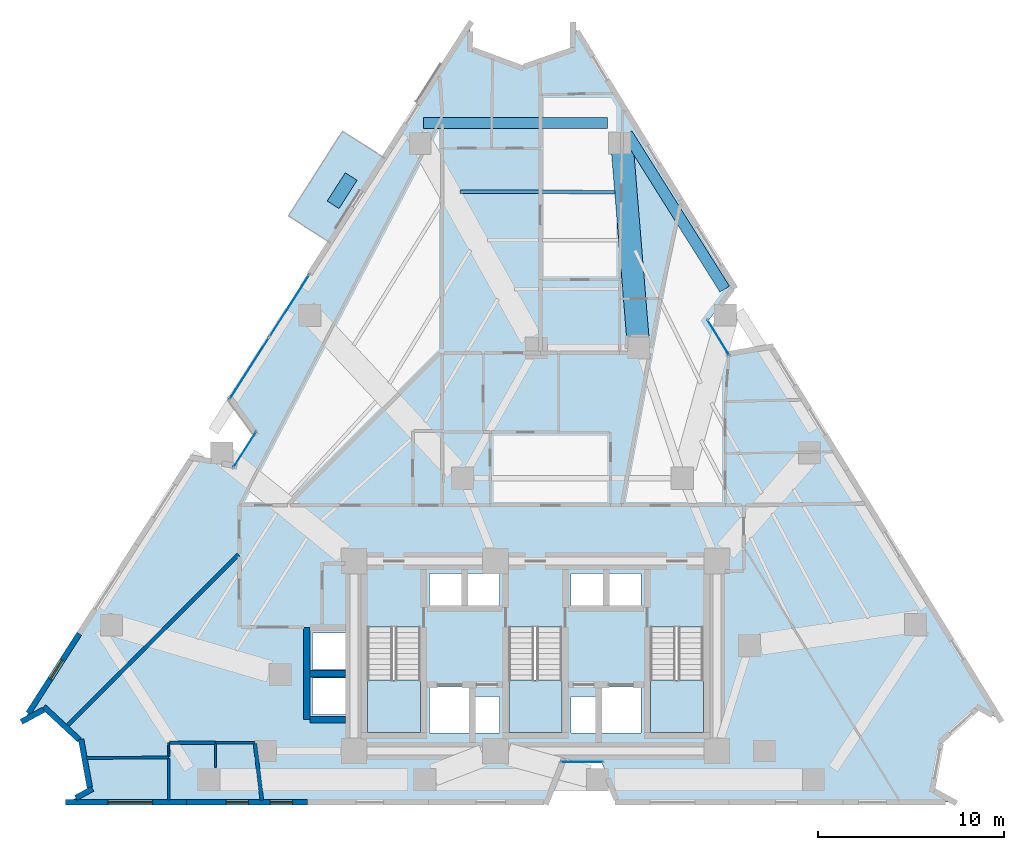
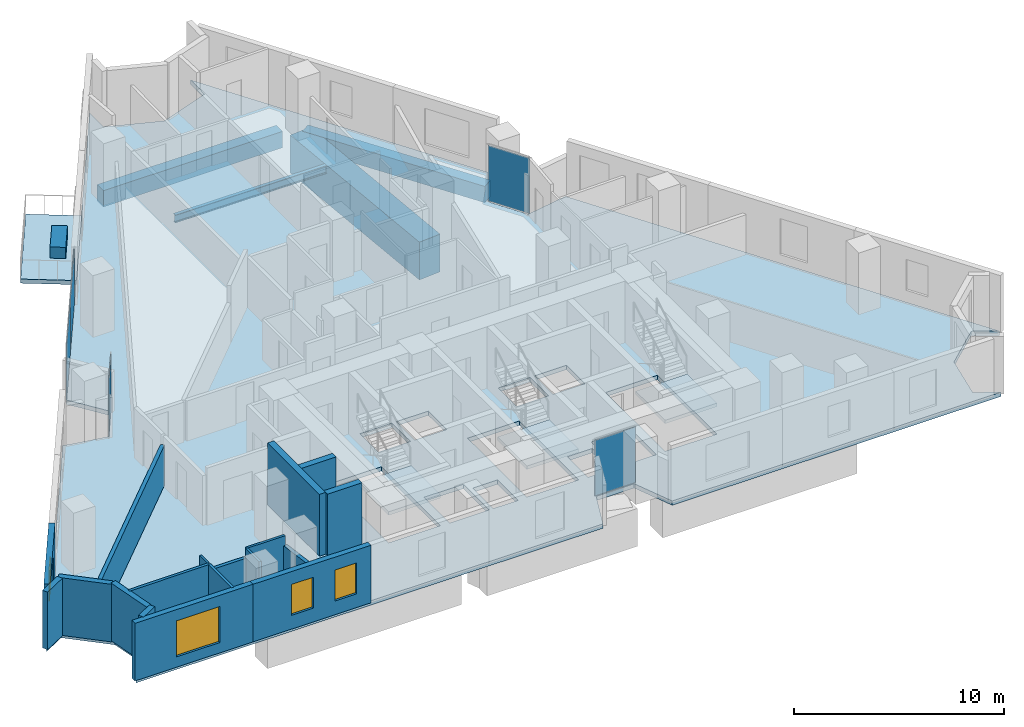
# One storey, part 5 of 13: 18 walls, 6 plates, 5 slabs, 4 beams, 4 windows, 4 openings, 7 elements without a shape of their own.
"""IFC4 building model written with IfcOpenShell, lengths in metres."""

from ifc_helpers import new_model, si_unit, direction, frame, frame_2d, origin, origin_2d, place, context, subcontext, project, spatial, polyline, rectangle, i_section, outline, extrude, material, layer, layer_set, material_profile, profile_set, type_object, element, fill, aggregate, save


model = new_model("IFC4")

# Units and contexts
model_context = context("Model", 3, precision=1e-05, world=origin(), true_north=direction((0.0, 1.0)))
body_context = subcontext(model_context, "Body", "Model", "MODEL_VIEW")
ifc_project = project(units=[si_unit("LENGTHUNIT", "METRE"), si_unit("AREAUNIT", "SQUARE_METRE"), si_unit("VOLUMEUNIT", "CUBIC_METRE"), si_unit("PLANEANGLEUNIT", "RADIAN"), si_unit("MASSUNIT", "GRAM", prefix="KILO")], contexts=[model_context])

# Site, building, storey
site_placement = place(None, origin())
site = spatial("IfcSite", under=ifc_project, at=site_placement, CompositionType="ELEMENT")
building_placement = place(site_placement, origin())
building = spatial("IfcBuilding", under=site, at=building_placement, Name="Almagre Mirador Tower", CompositionType="ELEMENT")
storey_placement = place(building_placement, frame((0.0, 0.0, 75.0)))
storey = spatial("IfcBuildingStorey", under=building, at=storey_placement, Name="L18", CompositionType="ELEMENT", Elevation=75.0)

# Beams
ifc_material_1 = material(Name="Steel ASTM A992 Grade 50", Category="steel")
ifc_material_profile_1 = material_profile(ifc_material_1, i_section(OverallWidth=0.19091796875, OverallDepth=0.4599609375, WebThickness=0.010009765625, FlangeThickness=0.01611328125, FilletRadius=0.01611328125, at=origin_2d()), Name="W18X55")
ifc_profile_set_1 = profile_set([ifc_material_profile_1], Name="Steel ASTM A992 Grade 50")
beam_type_1 = type_object("IfcBeamType", Name="BM-JST-W18X55", PredefinedType="JOIST", material=ifc_profile_set_1)
beam_1_placement = place(storey_placement, frame((41.56591796875, 34.572021484375, -0.47998046875), z_axis=(-0.999993151831, 0.003700849942, 0.0), x_axis=(-0.003700849942, -0.999993151831, 0.0)))
element("IfcBeam", 1, at=beam_1_placement, inside=storey, type_object=beam_type_1, Name="L18 secondary floor joist PC08-PC09.1", PredefinedType="JOIST", context=body_context, shape_type="SweptSolid", body=[
    extrude(i_section(OverallWidth=0.19091796875, OverallDepth=0.4599609375, WebThickness=0.010009765625, FlangeThickness=0.01611328125, FilletRadius=0.01611328125, at=origin_2d()), origin(), (0.0, 0.0, 1.0), 8.31201171875),
])
ifc_material_2 = material(Name="Precast concrete C50/60", Category="concrete")
ifc_material_profile_2 = material_profile(ifc_material_2, rectangle(XDim=0.60009765625, YDim=0.949951171875, at=origin_2d()), Name="RC600X950")
ifc_profile_set_2 = profile_set([ifc_material_profile_2], Name="Precast concrete C50/60")
beam_type_2 = type_object("IfcBeamType", Name="BM-SPN-RC600X950", PredefinedType="SPANDREL", material=ifc_profile_set_2)
beam_2_placement = place(storey_placement, frame((47.4697265625, 29.36279296875, -0.72509765625), z_axis=(-0.531919552243, 0.846794892487, 0.0), x_axis=(-0.846794892487, -0.531919552243, 0.0)))
element("IfcBeam", 2, at=beam_2_placement, inside=storey, type_object=beam_type_2, Name="L18 perimeter spandrel beam PC07-PC08", PredefinedType="SPANDREL", context=body_context, shape_type="SweptSolid", body=[
    extrude(rectangle(XDim=0.60009765625, YDim=0.949951171875, at=origin_2d()), origin(), (0.0, 0.0, 1.0), 9.84228515625),
])
beam_3_placement = place(storey_placement, frame((41.162109375, 38.289306640625, -0.72509765625), z_axis=(-0.999999686228, -0.000792177001, 0.0), x_axis=(0.000792177001, -0.999999686228, 0.0)))
element("IfcBeam", 3, at=beam_3_placement, inside=storey, type_object=beam_type_2, Name="L18 perimeter spandrel beam PC08-PC09", PredefinedType="SPANDREL", context=body_context, shape_type="SweptSolid", body=[
    extrude(rectangle(XDim=0.60009765625, YDim=0.949951171875, at=origin_2d()), origin(), (0.0, 0.0, 1.0), 9.862060546875),
])
ifc_material_3 = material(Name="Concrete C60/75", Category="concrete")
ifc_material_profile_3 = material_profile(ifc_material_3, rectangle(XDim=1.199951171875, YDim=2.199951171875, at=origin_2d()), Name="RC1200X2200")
ifc_profile_set_3 = profile_set([ifc_material_profile_3], Name="Concrete C60/75")
beam_type_3 = type_object("IfcBeamType", Name="BM-XFER-RC1200X2200", PredefinedType="BEAM", material=ifc_profile_set_3)
beam_4_placement = place(storey_placement, frame((41.9189453125, 37.59228515625, -1.35009765625), z_axis=(0.081446555718, -0.996677710477, 0.0), x_axis=(0.996677710477, 0.081446555718, 0.0)))
element("IfcBeam", 4, at=beam_4_placement, inside=storey, type_object=beam_type_3, Name="L18 radial transfer girder PC08-MC6", PredefinedType="BEAM", context=body_context, shape_type="SweptSolid", body=[
    extrude(rectangle(XDim=1.199951171875, YDim=2.199951171875, at=origin_2d()), origin(), (0.0, 0.0, 1.0), 10.830078125),
])

# Curtain wall, plate
ifc_material_4 = material(Name="Black anodized aluminium", Category="aluminium")
ifc_layer_1 = layer(ifc_material_4, 0.169921875)
ifc_layer_set_1 = layer_set([ifc_layer_1], Name="Black anodized aluminium")
curtain_wall_type_1 = type_object("IfcCurtainWallType", Name="CW-CRS-SYS", PredefinedType="NOTDEFINED", material=ifc_layer_set_1)
curtain_wall_1_placement = place(storey_placement, origin())
curtain_wall_1 = element("IfcCurtainWall", 5, at=curtain_wall_1_placement, inside=storey, type_object=curtain_wall_type_1, Name="L18 vertical crease curtain wall 01", PredefinedType="NOTDEFINED")
ifc_material_5 = material(Name="Dark solar-control laminated hurricane glass", Category="glass")
ifc_layer_2 = layer(ifc_material_5, 0.028076171875)
ifc_layer_set_2 = layer_set([ifc_layer_2], Name="Dark solar-control laminated hurricane glass")
plate_type_1 = type_object("IfcPlateType", Name="PLT-GLZ-28", PredefinedType="CURTAIN_PANEL", material=ifc_layer_set_2)
plate_1_placement = place(storey_placement, frame((21.69091796875, 20.7451171875, 0.06005859375), z_axis=(0.0, 0.0, 1.0), x_axis=(0.539558777859, 0.841947934991, 0.0)))
plate_1 = element("IfcPlate", 6, at=plate_1_placement, type_object=plate_type_1, Name="CW-4 panel 1.1", PredefinedType="CURTAIN_PANEL", context=body_context, shape_type="SweptSolid", body=[
    extrude(rectangle(XDim=2.25048828125, YDim=0.028076171875, at=origin_2d()), origin(), (0.0, 0.0, 1.0), 3.22998046875),
])
aggregate(curtain_wall_1, [plate_1])

curtain_wall_2_placement = place(storey_placement, origin())
curtain_wall_2 = element("IfcCurtainWall", 7, at=curtain_wall_2_placement, inside=storey, type_object=curtain_wall_type_1, Name="L18 vertical crease curtain wall 03", PredefinedType="NOTDEFINED")
plate_2_placement = place(storey_placement, frame((47.132080078125, 26.761474609375, 0.06005859375), z_axis=(0.0, 0.0, 1.0), x_axis=(0.523414605102, -0.852078136772, 0.0)))
plate_2 = element("IfcPlate", 8, at=plate_2_placement, type_object=plate_type_1, Name="CW-4 panel 1.1", PredefinedType="CURTAIN_PANEL", context=body_context, shape_type="SweptSolid", body=[
    extrude(rectangle(XDim=2.250244140625, YDim=0.028076171875, at=origin_2d()), origin(), (0.0, 0.0, 1.0), 3.22998046875),
])
aggregate(curtain_wall_2, [plate_2])

curtain_wall_3_placement = place(storey_placement, origin())
curtain_wall_3 = element("IfcCurtainWall", 9, at=curtain_wall_3_placement, inside=storey, type_object=curtain_wall_type_1, Name="L18 vertical crease curtain wall 04", PredefinedType="NOTDEFINED")
plate_3_placement = place(storey_placement, frame((39.80810546875, 3.949951171875, 0.06005859375), z_axis=(0.0, 0.0, 1.0), x_axis=(-1.0, 0.0, 0.0)))
plate_3 = element("IfcPlate", 10, at=plate_3_placement, type_object=plate_type_1, Name="CW-4 panel 1.1", PredefinedType="CURTAIN_PANEL", context=body_context, shape_type="SweptSolid", body=[
    extrude(rectangle(XDim=2.25, YDim=0.028076171875, at=origin_2d()), origin(), (0.0, 0.0, 1.0), 3.22998046875),
])
aggregate(curtain_wall_3, [plate_3])

# Curtain wall, plates
ifc_material_6 = material(Name="Black anodized aluminium", Category="aluminium")
ifc_layer_3 = layer(ifc_material_6, 0.18994140625)
ifc_layer_set_3 = layer_set([ifc_layer_3], Name="Black anodized aluminium")
curtain_wall_type_2 = type_object("IfcCurtainWallType", Name="CW-RES-L-SYS", PredefinedType="NOTDEFINED", material=ifc_layer_set_3)
curtain_wall_4_placement = place(storey_placement, origin())
curtain_wall_4 = element("IfcCurtainWall", 11, at=curtain_wall_4_placement, inside=storey, type_object=curtain_wall_type_2, Name="L18 curtain wall run 02", PredefinedType="NOTDEFINED")
ifc_material_7 = material(Name="Dark solar-control laminated hurricane glass", Category="glass")
ifc_layer_4 = layer(ifc_material_7, 0.031982421875)
ifc_layer_set_4 = layer_set([ifc_layer_4], Name="Dark solar-control laminated hurricane glass")
plate_type_2 = type_object("IfcPlateType", Name="PLT-GLZ-32", PredefinedType="CURTAIN_PANEL", material=ifc_layer_set_4)
plate_4_placement = place(storey_placement, frame((21.926025390625, 25.095947265625, 0.06005859375), z_axis=(0.0, 0.0, 1.0), x_axis=(0.539454763486, 0.8420145831, 0.0)))
plate_4 = element("IfcPlate", 12, at=plate_4_placement, type_object=plate_type_2, Name="CW-2 panel 1.1", PredefinedType="CURTAIN_PANEL", context=body_context, shape_type="SweptSolid", body=[
    extrude(rectangle(XDim=3.931396484375, YDim=0.031982421875, at=origin_2d()), origin(), (0.0, 0.0, 1.0), 3.22998046875),
])
plate_5_placement = place(storey_placement, frame((24.081787109375, 28.4609375, 0.06005859375), z_axis=(0.0, 0.0, 1.0), x_axis=(0.539454763486, 0.8420145831, 0.0)))
plate_5 = element("IfcPlate", 13, at=plate_5_placement, type_object=plate_type_2, Name="CW-2 panel 2.1", PredefinedType="CURTAIN_PANEL", context=body_context, shape_type="SweptSolid", body=[
    extrude(rectangle(XDim=3.931396484375, YDim=0.031982421875, at=origin_2d()), origin(), (0.0, 0.0, 1.0), 3.22998046875),
])
aggregate(curtain_wall_4, [plate_4, plate_5])

# Plate
ifc_material_8 = material(Name="Precast concrete C50/60", Category="concrete")
ifc_layer_5 = layer(ifc_material_8, 0.64990234375)
ifc_layer_set_5 = layer_set([ifc_layer_5], Name="Precast concrete C50/60")
plate_type_3 = type_object("IfcPlateType", Name="PLT-PLANTER-1800", PredefinedType="USERDEFINED", material=ifc_layer_set_5)
plate_6_placement = place(storey_placement, frame((26.919921875, 34.652099609375, 0.0), z_axis=(0.0, 0.0, 1.0), x_axis=(-0.539461671362, -0.84201015738, 0.0)))
element("IfcPlate", 14, at=plate_6_placement, inside=storey, type_object=plate_type_3, Name="L18 west balcony structural tree planter 2", ObjectType="PLANTER", PredefinedType="USERDEFINED", context=body_context, shape_type="SweptSolid", body=[
    extrude(rectangle(XDim=1.800048828125, YDim=0.75, at=origin_2d()), origin(), (0.0, 0.0, 1.0), 0.64990234375),
])

# Slabs
ifc_material_9 = material(Name="Concrete C45/55", Category="concrete")
ifc_layer_6 = layer(ifc_material_9, 0.239990234375)
ifc_layer_set_6 = layer_set([ifc_layer_6], Name="Concrete C45/55")
slab_type_1 = type_object("IfcSlabType", Name="SLB-BAL-240", PredefinedType="USERDEFINED", material=ifc_layer_set_6)
slab_1_placement = place(storey_placement, frame((0.0, 0.0, -0.239990234375)))
element("IfcSlab", 15, at=slab_1_placement, inside=storey, type_object=slab_type_1, Name="L18 west planted tree balcony 2", ObjectType="BALCONY", PredefinedType="USERDEFINED", context=body_context, shape_type="SweptSolid", body=[
    extrude(outline(polyline([(29.194091796875, 36.402099609375), (26.280029296875, 31.85595703125), (24.031982421875, 33.2958984375), (26.945068359375, 37.843017578125), (29.194091796875, 36.402099609375)])), origin(), (0.0, 0.0, 1.0), 0.239990234375),
])
ifc_material_10 = material(Name="Concrete C45/55", Category="concrete")
ifc_layer_7 = layer(ifc_material_10, 0.25)
ifc_layer_set_7 = layer_set([ifc_layer_7], Name="Concrete C45/55")
slab_type_2 = type_object("IfcSlabType", Name="SLB-FLR-250", PredefinedType="FLOOR", material=ifc_layer_set_7)
slab_2_placement = place(storey_placement, frame((0.0, 0.0, -0.25)))
element("IfcSlab", 16, at=slab_2_placement, inside=storey, type_object=slab_type_2, Name="L18 structural floor slab", PredefinedType="FLOOR", context=body_context, shape_type="SweptSolid", body=[
    extrude(outline(polyline([(9.804931640625, 6.177978515625), (10.989990234375, 6.825927734375), (12.9169921875, 5.035888671875), (13.384033203125, 2.447998046875), (12.199951171875, 1.800048828125), (37.907958984375, 1.800048828125), (38.762939453125, 3.949951171875), (40.85302734375, 3.949951171875), (41.7080078125, 1.800048828125), (59.800048828125, 1.800048828125), (58.6220703125, 2.458984375), (59.114013671875, 5.091064453125), (61.09912109375, 6.888916015625), (62.277099609375, 6.22998046875), (49.958984375, 26.26904296875), (47.678955078125, 25.87109375), (46.5849609375, 27.652099609375), (47.968994140625, 29.506103515625), (39.322998046875, 43.570068359375), (39.31103515625, 42.219970703125), (36.537109375, 41.256103515625), (33.781982421875, 42.27197265625), (33.794921875, 43.6220703125), (20.906005859375, 23.50390625), (22.2548828125, 21.625), (21.126953125, 19.864990234375), (18.85595703125, 20.304931640625), (9.804931640625, 6.177978515625)]), holes=[polyline([(43.47509765625, 11.196044921875), (46.324951171875, 11.196044921875), (46.324951171875, 5.550048828125), (43.47509765625, 5.550048828125), (43.47509765625, 11.196044921875)]), polyline([(40.820068359375, 5.52001953125), (40.820068359375, 7.97998046875), (42.97998046875, 7.97998046875), (42.97998046875, 5.52001953125), (40.820068359375, 5.52001953125)]), polyline([(41.219970703125, 12.320068359375), (41.219970703125, 14.080078125), (42.97998046875, 14.080078125), (42.97998046875, 12.320068359375), (41.219970703125, 12.320068359375)]), polyline([(39.219970703125, 12.320068359375), (39.219970703125, 14.080078125), (40.97998046875, 14.080078125), (40.97998046875, 12.320068359375), (39.219970703125, 12.320068359375)]), polyline([(39.219970703125, 5.52001953125), (39.219970703125, 7.47998046875), (40.580078125, 7.47998046875), (40.580078125, 5.52001953125), (39.219970703125, 5.52001953125)]), polyline([(35.875, 11.196044921875), (38.72509765625, 11.196044921875), (38.72509765625, 5.550048828125), (35.875, 5.550048828125), (35.875, 11.196044921875)]), polyline([(35.3798828125, 5.52001953125), (34.02001953125, 5.52001953125), (34.02001953125, 7.47998046875), (35.3798828125, 7.47998046875), (35.3798828125, 5.52001953125)]), polyline([(35.3798828125, 12.320068359375), (33.6201171875, 12.320068359375), (33.6201171875, 14.080078125), (35.3798828125, 14.080078125), (35.3798828125, 12.320068359375)]), polyline([(31.6201171875, 5.52001953125), (31.6201171875, 7.97998046875), (33.780029296875, 7.97998046875), (33.780029296875, 5.52001953125), (31.6201171875, 5.52001953125)]), polyline([(31.6201171875, 12.320068359375), (31.6201171875, 14.080078125), (33.3798828125, 14.080078125), (33.3798828125, 12.320068359375), (31.6201171875, 12.320068359375)]), polyline([(28.27490234375, 5.550048828125), (28.27490234375, 11.196044921875), (31.125, 11.196044921875), (31.125, 5.550048828125), (28.27490234375, 5.550048828125)]), polyline([(25.320068359375, 6.52001953125), (25.320068359375, 8.47998046875), (27.3798828125, 8.47998046875), (27.3798828125, 6.52001953125), (25.320068359375, 6.52001953125)]), polyline([(25.320068359375, 8.919921875), (25.320068359375, 10.8798828125), (27.3798828125, 10.8798828125), (27.3798828125, 8.919921875), (25.320068359375, 8.919921875)])]), origin(), (0.0, 0.0, 1.0), 0.25),
])

# Stair, slab
ifc_material_11 = material(Name="Concrete C45/55", Category="concrete")
stair_type = type_object("IfcStairType", Name="STR-DL-3600", PredefinedType="HALF_TURN_STAIR", material=ifc_material_11)
stair_1_placement = place(storey_placement, origin())
stair_1 = element("IfcStair", 17, at=stair_1_placement, inside=storey, type_object=stair_type, Name="L18 Protected exit stair ST-1", PredefinedType="HALF_TURN_STAIR")
ifc_material_12 = material(Name="Concrete C45/55", Category="concrete")
ifc_layer_8 = layer(ifc_material_12, 0.199951171875)
ifc_layer_set_8 = layer_set([ifc_layer_8], Name="Concrete C45/55")
slab_type_3 = type_object("IfcSlabType", Name="SLB-LND-200", PredefinedType="LANDING", material=ifc_layer_set_8)
slab_3_placement = place(storey_placement, frame((0.0, 0.0, 1.60009765625)))
slab_3 = element("IfcSlab", 18, at=slab_3_placement, type_object=slab_type_3, Name="ST-1 landing 1", PredefinedType="LANDING", context=body_context, shape_type="SweptSolid", body=[
    extrude(outline(polyline([(28.27490234375, 8.35009765625), (28.27490234375, 5.550048828125), (31.125, 5.550048828125), (31.125, 8.35009765625), (28.27490234375, 8.35009765625)])), origin(), (0.0, 0.0, 1.0), 0.199951171875),
])
aggregate(stair_1, [slab_3])

stair_2_placement = place(storey_placement, origin())
stair_2 = element("IfcStair", 19, at=stair_2_placement, inside=storey, type_object=stair_type, Name="L18 Protected exit stair ST-2", PredefinedType="HALF_TURN_STAIR")
slab_4_placement = place(storey_placement, frame((0.0, 0.0, 1.60009765625)))
slab_4 = element("IfcSlab", 20, at=slab_4_placement, type_object=slab_type_3, Name="ST-2 landing 1", PredefinedType="LANDING", context=body_context, shape_type="SweptSolid", body=[
    extrude(outline(polyline([(35.875, 8.35009765625), (35.875, 5.550048828125), (38.72509765625, 5.550048828125), (38.72509765625, 8.35009765625), (35.875, 8.35009765625)])), origin(), (0.0, 0.0, 1.0), 0.199951171875),
])
aggregate(stair_2, [slab_4])

stair_3_placement = place(storey_placement, origin())
stair_3 = element("IfcStair", 21, at=stair_3_placement, inside=storey, type_object=stair_type, Name="L18 Protected exit stair ST-3", PredefinedType="HALF_TURN_STAIR")
slab_5_placement = place(storey_placement, frame((0.0, 0.0, 1.60009765625)))
slab_5 = element("IfcSlab", 22, at=slab_5_placement, type_object=slab_type_3, Name="ST-3 landing 1", PredefinedType="LANDING", context=body_context, shape_type="SweptSolid", body=[
    extrude(outline(polyline([(43.47509765625, 8.35009765625), (43.47509765625, 5.550048828125), (46.324951171875, 5.550048828125), (46.324951171875, 8.35009765625), (43.47509765625, 8.35009765625)])), origin(), (0.0, 0.0, 1.0), 0.199951171875),
])
aggregate(stair_3, [slab_5])

# Wall, openings, windows
ifc_material_13 = material(Name="Precast concrete C50/60", Category="concrete")
ifc_layer_9 = layer(ifc_material_13, 0.300048828125)
ifc_layer_set_9 = layer_set([ifc_layer_9], Name="Precast concrete C50/60")
wall_type_1 = type_object("IfcWallType", Name="WAL-EXT-300", PredefinedType="SOLIDWALL", material=ifc_layer_set_9)
wall_1_placement = place(storey_placement, frame((25.053955078125, 1.800048828125, 0.0), z_axis=(0.0, 0.0, 1.0), x_axis=(-1.0, 0.0, 0.0)))
wall_1 = element("IfcWall", 23, at=wall_1_placement, inside=storey, type_object=wall_type_1, Name="L18 expressed almagre precast frame wall 29", PredefinedType="SOLIDWALL", context=body_context, shape_type="SweptSolid", body=[
    extrude(rectangle(XDim=6.4970703125, YDim=0.300048828125, at=frame_2d((3.24853515625, 0.0))), origin(), (0.0, 0.0, 1.0), 3.35009765625),
])
opening_1_placement = place(wall_1_placement, frame((3.175048828125, 0.0, 0.800048828125)))
opening_1 = element("IfcOpeningElement", 24, at=opening_1_placement, cuts=wall_1, Name="Opening WN-04", PredefinedType="OPENING", context=body_context, shape_type="SweptSolid", body=[
    extrude(rectangle(XDim=1.199951171875, YDim=1.800048828125, at=frame_2d((0.60009765625, 0.89990234375))), frame((0.0, 0.159902, 0.0), z_axis=(0.0, -1.0, 0.0), x_axis=(1.0, 0.0, 0.0)), (0.0, 0.0, 1.0), 0.320049),
])
opening_2_placement = place(wall_1_placement, frame((0.800048828125, 0.0, 0.800048828125)))
opening_2 = element("IfcOpeningElement", 25, at=opening_2_placement, cuts=wall_1, Name="Opening WN-04", PredefinedType="OPENING", context=body_context, shape_type="SweptSolid", body=[
    extrude(rectangle(XDim=1.199951171875, YDim=1.800048828125, at=frame_2d((0.60009765625, 0.89990234375))), frame((0.0, 0.159902, 0.0), z_axis=(0.0, -1.0, 0.0), x_axis=(1.0, 0.0, 0.0)), (0.0, 0.0, 1.0), 0.320049),
])
ifc_material_14 = material(Name="Dark solar-control laminated hurricane glass", Category="glass")
window_type_1 = type_object("IfcWindowType", Name="WIN-1200X1800", PartitioningType="SINGLE_PANEL", PredefinedType="WINDOW", material=ifc_material_14)
window_1_placement = place(opening_1_placement, origin())
window_1 = element("IfcWindow", 26, at=window_1_placement, inside=storey, type_object=window_type_1, Name="L18 recessed hurricane window L18-UA-KT", OverallHeight=1.800048828125, OverallWidth=1.199951171875, PartitioningType="SINGLE_PANEL", PredefinedType="WINDOW", context=body_context, shape_type="SweptSolid", body=[
    extrude(rectangle(XDim=1.199951171875, YDim=1.800048828125, at=frame_2d((0.60009765625, 0.89990234375))), frame((0.0, 0.030029296875, 0.0), z_axis=(0.0, -1.0, 0.0), x_axis=(1.0, 0.0, 0.0)), (0.0, 0.0, 1.0), 0.06005859375),
])
fill(opening_1, window_1)
window_2_placement = place(opening_2_placement, origin())
window_2 = element("IfcWindow", 27, at=window_2_placement, inside=storey, type_object=window_type_1, Name="L18 recessed hurricane window L18-RST-B", OverallHeight=1.800048828125, OverallWidth=1.199951171875, PartitioningType="SINGLE_PANEL", PredefinedType="WINDOW", context=body_context, shape_type="SweptSolid", body=[
    extrude(rectangle(XDim=1.199951171875, YDim=1.800048828125, at=frame_2d((0.60009765625, 0.89990234375))), frame((0.0, 0.030029296875, 0.0), z_axis=(0.0, -1.0, 0.0), x_axis=(1.0, 0.0, 0.0)), (0.0, 0.0, 1.0), 0.06005859375),
])
fill(opening_2, window_2)

# Wall, opening, window
wall_2_placement = place(storey_placement, frame((18.556884765625, 1.800048828125, 0.0), z_axis=(0.0, 0.0, 1.0), x_axis=(-1.0, 0.0, 0.0)))
wall_2 = element("IfcWall", 28, at=wall_2_placement, inside=storey, type_object=wall_type_1, Name="L18 expressed almagre precast frame wall 30", PredefinedType="SOLIDWALL", context=body_context, shape_type="SweptSolid", body=[
    extrude(rectangle(XDim=6.496826171875, YDim=0.300048828125, at=frame_2d((3.24853515625, 0.0))), origin(), (0.0, 0.0, 1.0), 3.35009765625),
])
opening_3_placement = place(wall_2_placement, frame((1.824951171875, 0.0, 0.60009765625)))
opening_3 = element("IfcOpeningElement", 29, at=opening_3_placement, cuts=wall_2, Name="Opening WN-02", PredefinedType="OPENING", context=body_context, shape_type="SweptSolid", body=[
    extrude(rectangle(XDim=2.39990234375, YDim=2.10009765625, at=frame_2d((1.199951171875, 1.050048828125))), frame((0.0, 0.159902, 0.0), z_axis=(0.0, -1.0, 0.0), x_axis=(1.0, 0.0, 0.0)), (0.0, 0.0, 1.0), 0.320049),
])
ifc_material_15 = material(Name="Dark solar-control laminated hurricane glass", Category="glass")
window_type_2 = type_object("IfcWindowType", Name="WIN-2400X2100", PartitioningType="TRIPLE_PANEL_VERTICAL", PredefinedType="WINDOW", material=ifc_material_15)
window_3_placement = place(opening_3_placement, origin())
window_3 = element("IfcWindow", 30, at=window_3_placement, inside=storey, type_object=window_type_2, Name="L18 recessed hurricane window L18-UA-HB", OverallHeight=2.10009765625, OverallWidth=2.39990234375, PartitioningType="SINGLE_PANEL", PredefinedType="WINDOW", context=body_context, shape_type="SweptSolid", body=[
    extrude(rectangle(XDim=2.39990234375, YDim=2.10009765625, at=frame_2d((1.199951171875, 1.050048828125))), frame((0.0, 0.030029296875, 0.0), z_axis=(0.0, -1.0, 0.0), x_axis=(1.0, 0.0, 0.0)), (0.0, 0.0, 1.0), 0.06005859375),
])
fill(opening_3, window_3)

# Walls
wall_3_placement = place(storey_placement, frame((12.6123046875, 2.025634765625, 0.0), z_axis=(0.0, 0.0, 1.0), x_axis=(0.877245120991, 0.480042704036, 0.0)))
element("IfcWall", 31, at=wall_3_placement, inside=storey, type_object=wall_type_1, Name="L18 expressed almagre precast frame wall 31", PredefinedType="SOLIDWALL", context=body_context, shape_type="SweptSolid", body=[
    extrude(rectangle(XDim=1.019775390625, YDim=0.300048828125, at=frame_2d((0.509765625, 0.0))), origin(), (0.0, 0.0, 1.0), 3.35009765625),
])
wall_4_placement = place(storey_placement, frame((13.360107421875, 2.580810546875, 0.0), z_axis=(0.0, 0.0, 1.0), x_axis=(-0.177621463404, 0.984098885142, 0.0)))
element("IfcWall", 32, at=wall_4_placement, inside=storey, type_object=wall_type_1, Name="L18 expressed almagre precast frame wall 32", PredefinedType="SOLIDWALL", context=body_context, shape_type="SweptSolid", body=[
    extrude(rectangle(XDim=2.635009765625, YDim=0.300048828125, at=frame_2d((1.3173828125, 0.0))), origin(), (0.0, 0.0, 1.0), 3.35009765625),
])
wall_5_placement = place(storey_placement, frame((12.80712890625, 5.13818359375, 0.0), z_axis=(0.0, 0.0, 1.0), x_axis=(-0.732670686937, 0.680583326642, 0.0)))
element("IfcWall", 33, at=wall_5_placement, inside=storey, type_object=wall_type_1, Name="L18 expressed almagre precast frame wall 33", PredefinedType="SOLIDWALL", context=body_context, shape_type="SweptSolid", body=[
    extrude(rectangle(XDim=2.6201171875, YDim=0.300048828125, at=frame_2d((1.31005859375, 0.0))), origin(), (0.0, 0.0, 1.0), 3.35009765625),
])
wall_6_placement = place(storey_placement, frame((10.8759765625, 6.763671875, 0.0), z_axis=(0.0, 0.0, 1.0), x_axis=(-0.877387661902, -0.47978212841, 0.0)))
element("IfcWall", 34, at=wall_6_placement, inside=storey, type_object=wall_type_1, Name="L18 expressed almagre precast frame wall 34", PredefinedType="SOLIDWALL", context=body_context, shape_type="SweptSolid", body=[
    extrude(rectangle(XDim=1.360595703125, YDim=0.300048828125, at=frame_2d((0.68017578125, 0.0))), origin(), (0.0, 0.0, 1.0), 3.35009765625),
])

# Wall, opening, window
wall_7_placement = place(storey_placement, frame((10.061279296875, 6.577880859375, 0.0), z_axis=(0.0, 0.0, 1.0), x_axis=(0.539464859434, 0.842008114828, 0.0)))
wall_7 = element("IfcWall", 35, at=wall_7_placement, inside=storey, type_object=wall_type_1, Name="L18 expressed almagre precast frame wall 35", PredefinedType="SOLIDWALL", context=body_context, shape_type="SweptSolid", body=[
    extrude(rectangle(XDim=5.071044921875, YDim=0.300048828125, at=frame_2d((2.53564453125, 0.0))), origin(), (0.0, 0.0, 1.0), 3.35009765625),
])
opening_4_placement = place(wall_7_placement, frame((2.18505859375, 0.0, 0.800048828125)))
opening_4 = element("IfcOpeningElement", 36, at=opening_4_placement, cuts=wall_7, Name="Opening WN-04", PredefinedType="OPENING", context=body_context, shape_type="SweptSolid", body=[
    extrude(rectangle(XDim=1.199951171875, YDim=1.800048828125, at=frame_2d((0.60009765625, 0.89990234375))), frame((0.0, 0.159902, 0.0), z_axis=(0.0, -1.0, 0.0), x_axis=(1.0, 0.0, 0.0)), (0.0, 0.0, 1.0), 0.320049),
])
window_4_placement = place(opening_4_placement, origin())
window_4 = element("IfcWindow", 37, at=window_4_placement, inside=storey, type_object=window_type_1, Name="L18 recessed hurricane window L18-RST-E", OverallHeight=1.800048828125, OverallWidth=1.199951171875, PartitioningType="SINGLE_PANEL", PredefinedType="WINDOW", context=body_context, shape_type="SweptSolid", body=[
    extrude(rectangle(XDim=1.199951171875, YDim=1.800048828125, at=frame_2d((0.60009765625, 0.89990234375))), frame((0.0, 0.030029296875, 0.0), z_axis=(0.0, -1.0, 0.0), x_axis=(1.0, 0.0, 0.0)), (0.0, 0.0, 1.0), 0.06005859375),
])
fill(opening_4, window_4)

# Walls
ifc_material_16 = material(Name="Gypsum acoustic stud partition", Category="other")
ifc_layer_10 = layer(ifc_material_16, 0.10009765625)
ifc_layer_set_10 = layer_set([ifc_layer_10], Name="Gypsum acoustic stud partition")
wall_type_2 = type_object("IfcWallType", Name="WAL-PRT-100-CLS", PredefinedType="PARTITIONING", material=ifc_layer_set_10)
wall_8_placement = place(storey_placement, frame((17.60009765625, 4.260009765625, 0.0), z_axis=(0.0, 0.0, 1.0), x_axis=(0.0, 1.0, 0.0)))
element("IfcWall", 38, at=wall_8_placement, inside=storey, type_object=wall_type_2, Name="L18 interior partition 017", PredefinedType="PARTITIONING", context=body_context, shape_type="SweptSolid", body=[
    extrude(rectangle(XDim=0.72998046875, YDim=0.10009765625, at=frame_2d((0.364990234375, 0.0))), origin(), (0.0, 0.0, 1.0), 3.35009765625),
])
ifc_material_17 = material(Name="Gypsum acoustic stud partition", Category="other")
ifc_layer_11 = layer(ifc_material_17, 0.125)
ifc_layer_set_11 = layer_set([ifc_layer_11], Name="Gypsum acoustic stud partition")
wall_type_3 = type_object("IfcWallType", Name="WAL-PRT-125-UTL", PredefinedType="PARTITIONING", material=ifc_layer_set_11)
wall_9_placement = place(storey_placement, frame((20.110107421875, 4.989990234375, 0.0), z_axis=(0.0, 0.0, 1.0), x_axis=(1.0, 0.0, 0.0)))
element("IfcWall", 39, at=wall_9_placement, inside=storey, type_object=wall_type_3, Name="L18 interior partition 016", PredefinedType="PARTITIONING", context=body_context, shape_type="SweptSolid", body=[
    extrude(rectangle(XDim=2.119873046875, YDim=0.125, at=frame_2d((1.06005859375, 0.0))), origin(), (0.0, 0.0, 1.0), 2.910888671875),
])
wall_10_placement = place(storey_placement, frame((20.110107421875, 4.9423828125, 0.0), z_axis=(0.0, 0.0, 1.0), x_axis=(0.0, -1.0, 0.0)))
element("IfcWall", 40, at=wall_10_placement, inside=storey, type_object=wall_type_3, Name="L18 interior partition 021", PredefinedType="PARTITIONING", context=body_context, shape_type="SweptSolid", body=[
    extrude(rectangle(XDim=1.282470703125, YDim=0.125, at=frame_2d((0.64111328125, 0.0))), origin(), (0.0, 0.0, 1.0), 2.910888671875),
])
ifc_material_18 = material(Name="Gypsum acoustic stud partition", Category="other")
ifc_layer_12 = layer(ifc_material_18, 0.14990234375)
ifc_layer_set_12 = layer_set([ifc_layer_12], Name="Gypsum acoustic stud partition")
wall_type_4 = type_object("IfcWallType", Name="WAL-PRT-150-STD", PredefinedType="PARTITIONING", material=ifc_layer_set_12)
wall_11_placement = place(storey_placement, frame((13.173095703125, 4.1669921875, 0.0), z_axis=(0.0, 0.0, 1.0), x_axis=(0.999972287215, 0.007444783476, 0.0)))
element("IfcWall", 41, at=wall_11_placement, inside=storey, type_object=wall_type_4, Name="L18 interior partition 015", PredefinedType="PARTITIONING", context=body_context, shape_type="SweptSolid", body=[
    extrude(rectangle(XDim=4.42724609375, YDim=0.14990234375, at=frame_2d((2.213623046875, 0.0))), origin(), (0.0, 0.0, 1.0), 3.35009765625),
])
wall_12_placement = place(storey_placement, frame((17.60009765625, 1.89990234375, 0.0), z_axis=(0.0, 0.0, 1.0), x_axis=(0.0, 1.0, 0.0)))
element("IfcWall", 42, at=wall_12_placement, inside=storey, type_object=wall_type_4, Name="L18 interior partition 020", PredefinedType="PARTITIONING", context=body_context, shape_type="SweptSolid", body=[
    extrude(rectangle(XDim=2.239990234375, YDim=0.14990234375, at=frame_2d((1.1201171875, 0.0))), origin(), (0.0, 0.0, 1.0), 3.35009765625),
])
ifc_material_19 = material(Name="Gypsum acoustic stud partition", Category="other")
ifc_layer_13 = layer(ifc_material_19, 0.175048828125)
ifc_layer_set_13 = layer_set([ifc_layer_13], Name="Gypsum acoustic stud partition")
wall_type_5 = type_object("IfcWallType", Name="WAL-PRT-175-AC", PredefinedType="PARTITIONING", material=ifc_layer_set_13)
wall_13_placement = place(storey_placement, frame((17.635009765625, 4.989990234375, 0.0), z_axis=(0.0, 0.0, 1.0), x_axis=(1.0, 0.0, 0.0)))
element("IfcWall", 43, at=wall_13_placement, inside=storey, type_object=wall_type_5, Name="L18 interior partition 018", PredefinedType="PARTITIONING", context=body_context, shape_type="SweptSolid", body=[
    extrude(rectangle(XDim=2.47509765625, YDim=0.175048828125, at=frame_2d((1.237548828125, 0.0))), origin(), (0.0, 0.0, 1.0), 2.3701171875),
])
ifc_material_20 = material(Name="Gypsum acoustic stud partition", Category="other")
ifc_layer_14 = layer(ifc_material_20, 0.199951171875)
ifc_layer_set_14 = layer_set([ifc_layer_14], Name="Gypsum acoustic stud partition")
wall_type_6 = type_object("IfcWallType", Name="WAL-PRT-200-EI60", PredefinedType="PARTITIONING", material=ifc_layer_set_14)
wall_14_placement = place(storey_placement, frame((21.33984375, 15.099853515625, 0.0), z_axis=(0.0, 0.0, 1.0), x_axis=(-0.706759638276, -0.707453753756, 0.0)))
element("IfcWall", 44, at=wall_14_placement, inside=storey, type_object=wall_type_6, Name="L18 interior partition 019", PredefinedType="PARTITIONING", context=body_context, shape_type="SweptSolid", body=[
    extrude(rectangle(XDim=13.013916015625, YDim=0.199951171875, at=frame_2d((6.5068359375, 0.0))), origin(), (0.0, 0.0, 1.0), 2.344970703125),
])
wall_15_placement = place(storey_placement, frame((22.60400390625, 1.89892578125, 0.0), z_axis=(0.0, 0.0, 1.0), x_axis=(-0.120074545748, 0.992764878238, 0.0)))
element("IfcWall", 45, at=wall_15_placement, inside=storey, type_object=wall_type_6, Name="L18 interior partition 022", PredefinedType="PARTITIONING", context=body_context, shape_type="SweptSolid", body=[
    extrude(rectangle(XDim=3.066162109375, YDim=0.199951171875, at=frame_2d((1.533203125, 0.0))), origin(), (0.0, 0.0, 1.0), 2.344970703125),
])
ifc_material_21 = material(Name="Concrete C60/75", Category="concrete")
ifc_layer_15 = layer(ifc_material_21, 0.35009765625)
ifc_layer_set_15 = layer_set([ifc_layer_15], Name="Concrete C60/75")
wall_type_7 = type_object("IfcWallType", Name="WAL-SHF-350", PredefinedType="SOLIDWALL", material=ifc_layer_set_15)
wall_16_placement = place(storey_placement, frame((25.02490234375, 6.22509765625, 0.0), z_axis=(0.0, 0.0, 1.0), x_axis=(0.0, 1.0, 0.0)))
element("IfcWall", 46, at=wall_16_placement, inside=storey, type_object=wall_type_7, Name="L18 shaft wall OL-W", PredefinedType="SOLIDWALL", context=body_context, shape_type="SweptSolid", body=[
    extrude(rectangle(XDim=4.949951171875, YDim=0.35009765625, at=frame_2d((2.47509765625, 0.0))), origin(), (0.0, 0.0, 1.0), 3.60009765625),
])
for number, where, z_axis, x_axis, name in (
    (47, (25.199951171875, 6.22509765625, 0.0), (0.0, 0.0, 1.0), (1.0, 0.0, 0.0), "L18 shaft wall OL-S"),
    (48, (25.199951171875, 8.699951171875, 0.0), (0.0, 0.0, 1.0), (1.0, 0.0, 0.0), "L18 shaft wall OL-M"),
):
    element("IfcWall", number, at=place(storey_placement, frame(where, z_axis=z_axis, x_axis=x_axis)), inside=storey, type_object=wall_type_7, Name=name, PredefinedType="SOLIDWALL", context=body_context, shape_type="SweptSolid", body=[
        extrude(rectangle(XDim=1.900146484375, YDim=0.35009765625, at=frame_2d((0.9501953125, 0.0))), origin(), (0.0, 0.0, 1.0), 3.60009765625),
    ])

save(model, "model.ifc")
